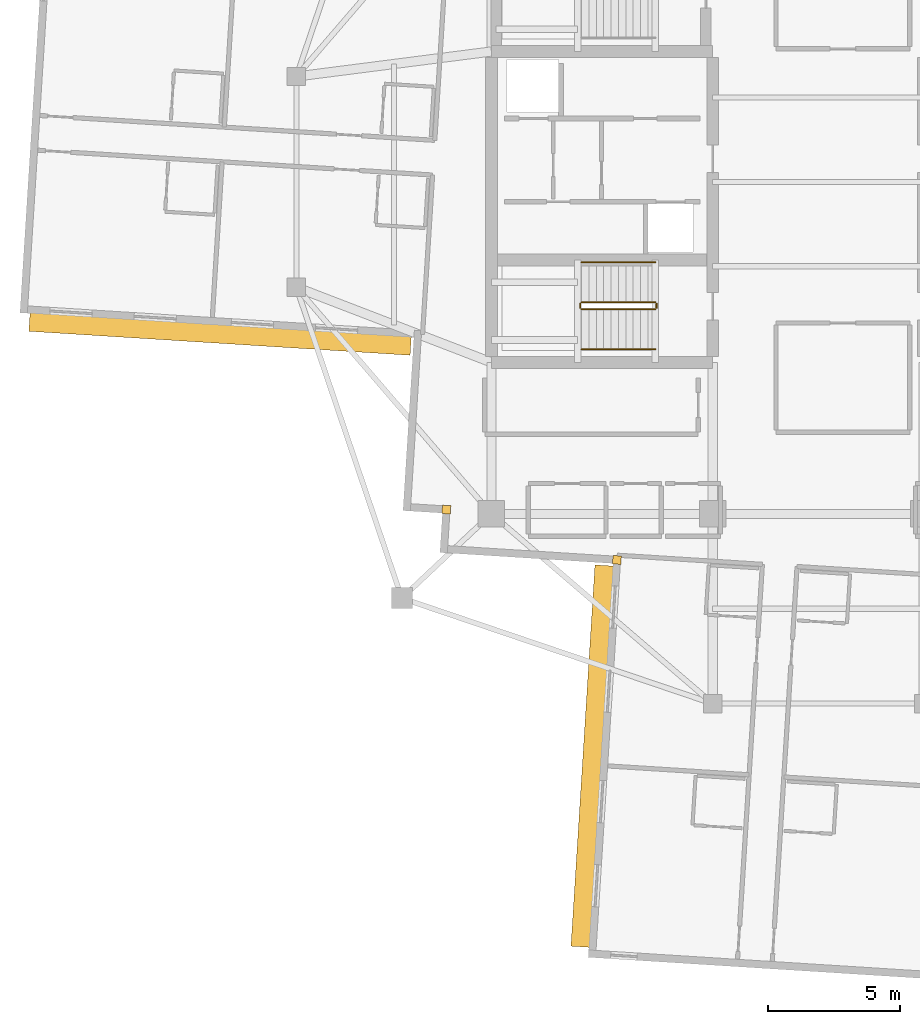
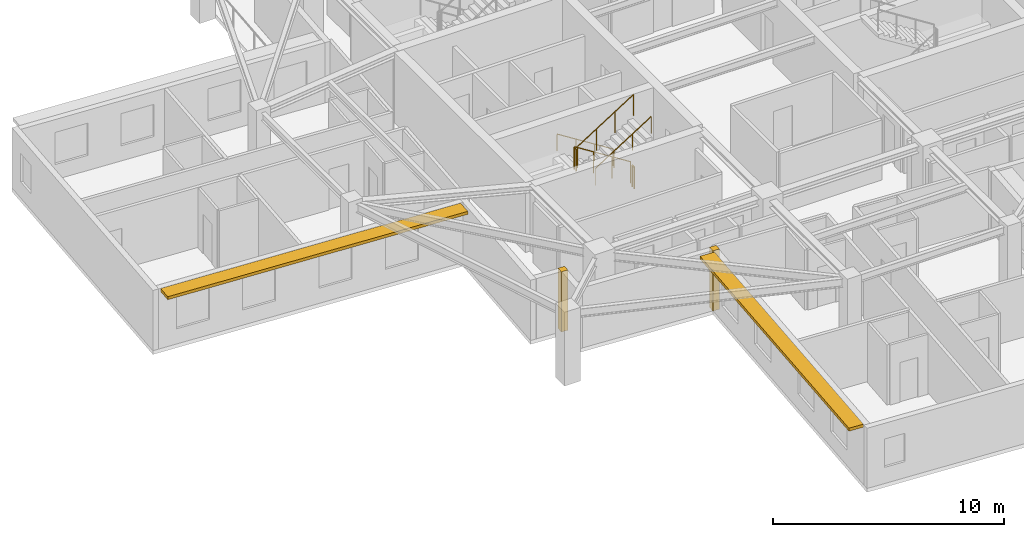
# One storey, part 9 of 12: 6 railings, 2 coverings, 2 shading devices.
"""IFC4 building model written with IfcOpenShell, lengths in metres."""

from ifc_helpers import new_model, si_unit, direction, frame, origin, origin_2d, place, context, subcontext, project, spatial, rectangle, circle, extrude, material, layer, layer_set, type_object, element, save


model = new_model("IFC4")

# Units and contexts
model_context = context("Model", 3, precision=1e-05, world=origin(), true_north=direction((0.0, 1.0)))
body_context = subcontext(model_context, "Body", "Model", "MODEL_VIEW")
ifc_project = project(units=[si_unit("LENGTHUNIT", "METRE"), si_unit("AREAUNIT", "SQUARE_METRE"), si_unit("VOLUMEUNIT", "CUBIC_METRE"), si_unit("PLANEANGLEUNIT", "RADIAN"), si_unit("MASSUNIT", "GRAM", prefix="KILO")], contexts=[model_context])

# Site, building, storey
site_placement = place(None, origin())
site = spatial("IfcSite", under=ifc_project, at=site_placement, CompositionType="ELEMENT")
building_placement = place(site_placement, origin())
building = spatial("IfcBuilding", under=site, at=building_placement, Name="Qingluan Cross Belvedere", CompositionType="ELEMENT")
storey_placement = place(building_placement, frame((0.0, 0.0, 249.89990234375)))
storey = spatial("IfcBuildingStorey", under=building, at=storey_placement, Name="L62", CompositionType="ELEMENT", Elevation=249.89990234375)

# Coverings
ifc_material_1 = material(Name="Precast concrete C45", Category="concrete")
ifc_layer_1 = layer(ifc_material_1, 0.1201171875, Name="ConcreteSpandrelCladding_120")
ifc_layer_set_1 = layer_set([ifc_layer_1], Name="Precast concrete C45")
covering_type = type_object("IfcCoveringType", Name="ConcreteSpandrelCladding_120", PredefinedType="CLADDING", material=ifc_layer_set_1)
for number, where, z_axis, x_axis, name in (
    (1, (-14.10888671875, -12.438720703125, 0.0), (0.0, 0.0, 1.0), (0.998026728428, -0.062790519529, 0.0), "Corner closure L62-SW1"),
    (2, (-7.635986328125, -14.348876953125, 0.0), (0.0, 0.0, 1.0), (0.998026728428, -0.062790519529, 0.0), "Corner closure L62-SW2"),
):
    element("IfcCovering", number, at=place(storey_placement, frame(where, z_axis=z_axis, x_axis=x_axis)), inside=storey, type_object=covering_type, Name=name, PredefinedType="CLADDING", context=body_context, shape_type="SweptSolid", body=[
        extrude(rectangle(XDim=0.320068359375, YDim=0.320068359375, at=origin_2d()), origin(), (0.0, 0.0, 1.0), 3.179931640625),
    ])

# Shading devices
ifc_material_2 = material(Name="Precast concrete C45", Category="concrete")
ifc_layer_2 = layer(ifc_material_2, 0.139892578125, Name="ConcreteSunshadeBand_700")
ifc_layer_set_2 = layer_set([ifc_layer_2], Name="Precast concrete C45")
shading_device_type = type_object("IfcShadingDeviceType", Name="ConcreteSunshadeBand_700", PredefinedType="USERDEFINED", material=ifc_layer_set_2)
for number, where, z_axis, x_axis, name in (
    (3, (-22.697509765625, -5.776123046875, 3.0), (0.0, 0.0, 1.0), (0.998026818306, -0.062789090939, 0.0), "Concrete SUNSHADE L62-WB"),
    (4, (-8.575439453125, -21.794677734375, 3.0), (0.0, 0.0, 1.0), (-0.062795866837, -0.99802639199, 0.0), "Concrete SUNSHADE L62-SA"),
):
    element("IfcShadingDevice", number, at=place(storey_placement, frame(where, z_axis=z_axis, x_axis=x_axis)), inside=storey, type_object=shading_device_type, Name=name, ObjectType="SUNSHADE", PredefinedType="USERDEFINED", context=body_context, shape_type="SweptSolid", body=[
        extrude(rectangle(XDim=14.5, YDim=0.699951171875, at=origin_2d()), origin(), (0.0, 0.0, 1.0), 0.159912109375),
    ])

# Railings
ifc_material_3 = material(Name="Brushed stainless steel tubular handrail", Category="steel")
railing_type_1 = type_object("IfcRailingType", Name="StairPitchHandrail_900", PredefinedType="HANDRAIL", material=ifc_material_3)
railing_1_placement = place(storey_placement, frame((-6.179931640625, -3.050048828125, 0.177490234375)))
element("IfcRailing", 5, at=railing_1_placement, inside=storey, type_object=railing_type_1, Name="L62 ST1 stair handrail 1", PredefinedType="HANDRAIL", context=body_context, shape_type="SweptSolid", body=[
    extrude(circle(Radius=0.02392578125, at=origin_2d()), frame((0.0, 0.0, 0.8759765625), z_axis=(-0.844908973607, 0.0, 0.534910110503), x_axis=(0.0, -1.0, 0.0)), (0.0, 0.0, 1.0), 3.31396484375),
    extrude(circle(Radius=0.02099609375, at=origin_2d()), origin(), (0.0, 0.0, 1.0), 0.851806640625),
    extrude(circle(Radius=0.02099609375, at=origin_2d()), frame((-0.933349609375, 0.0, 0.5908203125)), (0.0, 0.0, 1.0), 0.851806640625),
    extrude(circle(Radius=0.02099609375, at=origin_2d()), frame((-1.86669921875, 0.0, 1.181884765625)), (0.0, 0.0, 1.0), 0.851806640625),
    extrude(circle(Radius=0.02099609375, at=origin_2d()), frame((-2.800048828125, 0.0, 1.772705078125)), (0.0, 0.0, 1.0), 0.851806640625),
])
railing_2_placement = place(storey_placement, frame((-8.97998046875, -6.35009765625, 2.12744140625)))
element("IfcRailing", 6, at=railing_2_placement, inside=storey, type_object=railing_type_1, Name="L62 ST1 stair handrail 2", PredefinedType="HANDRAIL", context=body_context, shape_type="SweptSolid", body=[
    extrude(circle(Radius=0.02392578125, at=origin_2d()), frame((0.0, 0.0, 0.8759765625), z_axis=(0.844908973607, 0.0, 0.534910110503), x_axis=(0.0, 1.0, 0.0)), (0.0, 0.0, 1.0), 3.31396484375),
    extrude(circle(Radius=0.02099609375, at=origin_2d()), origin(), (0.0, 0.0, 1.0), 0.851806640625),
    extrude(circle(Radius=0.02099609375, at=origin_2d()), frame((0.933349609375, 0.0, 0.5908203125)), (0.0, 0.0, 1.0), 0.851806640625),
    extrude(circle(Radius=0.02099609375, at=origin_2d()), frame((1.86669921875, 0.0, 1.181884765625)), (0.0, 0.0, 1.0), 0.851806640625),
    extrude(circle(Radius=0.02099609375, at=origin_2d()), frame((2.800048828125, 0.0, 1.772705078125)), (0.0, 0.0, 1.0), 0.851806640625),
])
ifc_material_4 = material(Name="Painted steel stair well guard", Category="steel")
railing_type_2 = type_object("IfcRailingType", Name="StairWellGuard_1150", PredefinedType="BALUSTRADE", material=ifc_material_4)
railing_3_placement = place(storey_placement, frame((-6.179931640625, -4.570068359375, 0.177490234375)))
element("IfcRailing", 7, at=railing_3_placement, inside=storey, type_object=railing_type_2, Name="L62 ST1 stair guard 1", PredefinedType="BALUSTRADE", context=body_context, shape_type="SweptSolid", body=[
    extrude(circle(Radius=0.02392578125, at=origin_2d()), frame((0.0, 0.0, 1.1259765625), z_axis=(-0.844908973607, 0.0, 0.534910110503), x_axis=(0.0, -1.0, 0.0)), (0.0, 0.0, 1.0), 3.31396484375),
    extrude(circle(Radius=0.02099609375, at=origin_2d()), origin(), (0.0, 0.0, 1.0), 1.101806640625),
    extrude(circle(Radius=0.02099609375, at=origin_2d()), frame((-0.933349609375, 0.0, 0.5908203125)), (0.0, 0.0, 1.0), 1.101806640625),
    extrude(circle(Radius=0.02099609375, at=origin_2d()), frame((-1.86669921875, 0.0, 1.181884765625)), (0.0, 0.0, 1.0), 1.101806640625),
    extrude(circle(Radius=0.02099609375, at=origin_2d()), frame((-2.800048828125, 0.0, 1.772705078125)), (0.0, 0.0, 1.0), 1.101806640625),
])
railing_4_placement = place(storey_placement, frame((-9.030029296875, -4.6201171875, 1.9501953125)))
element("IfcRailing", 8, at=railing_4_placement, inside=storey, type_object=railing_type_2, Name="L62 ST1 stair guard 2", PredefinedType="BALUSTRADE", context=body_context, shape_type="SweptSolid", body=[
    extrude(circle(Radius=0.02392578125, at=origin_2d()), frame((0.0, 0.0, 1.1259765625), z_axis=(0.0, -1.0, 0.0), x_axis=(1.0, 0.0, 0.0)), (0.0, 0.0, 1.0), 0.159912109375),
    extrude(circle(Radius=0.02099609375, at=origin_2d()), origin(), (0.0, 0.0, 1.0), 1.101806640625),
    extrude(circle(Radius=0.02099609375, at=origin_2d()), frame((0.0, -0.159912109375, 0.0)), (0.0, 0.0, 1.0), 1.101806640625),
])
railing_5_placement = place(storey_placement, frame((-8.97998046875, -4.830078125, 2.12744140625)))
element("IfcRailing", 9, at=railing_5_placement, inside=storey, type_object=railing_type_2, Name="L62 ST1 stair guard 3", PredefinedType="BALUSTRADE", context=body_context, shape_type="SweptSolid", body=[
    extrude(circle(Radius=0.02392578125, at=origin_2d()), frame((0.0, 0.0, 1.1259765625), z_axis=(0.844908973607, 0.0, 0.534910110503), x_axis=(0.0, 1.0, 0.0)), (0.0, 0.0, 1.0), 3.31396484375),
    extrude(circle(Radius=0.02099609375, at=origin_2d()), origin(), (0.0, 0.0, 1.0), 1.101806640625),
    extrude(circle(Radius=0.02099609375, at=origin_2d()), frame((0.933349609375, 0.0, 0.5908203125)), (0.0, 0.0, 1.0), 1.101806640625),
    extrude(circle(Radius=0.02099609375, at=origin_2d()), frame((1.86669921875, 0.0, 1.181884765625)), (0.0, 0.0, 1.0), 1.101806640625),
    extrude(circle(Radius=0.02099609375, at=origin_2d()), frame((2.800048828125, 0.0, 1.772705078125)), (0.0, 0.0, 1.0), 1.101806640625),
])
railing_6_placement = place(storey_placement, frame((-6.1298828125, -4.6201171875, 0.0)))
element("IfcRailing", 10, at=railing_6_placement, inside=storey, type_object=railing_type_2, Name="L62 ST1 stair guard 4", PredefinedType="BALUSTRADE", context=body_context, shape_type="SweptSolid", body=[
    extrude(circle(Radius=0.02392578125, at=origin_2d()), frame((0.0, 0.0, 1.1259765625), z_axis=(0.0, -1.0, 0.0), x_axis=(1.0, 0.0, 0.0)), (0.0, 0.0, 1.0), 0.159912109375),
    extrude(circle(Radius=0.02099609375, at=origin_2d()), origin(), (0.0, 0.0, 1.0), 1.101806640625),
    extrude(circle(Radius=0.02099609375, at=origin_2d()), frame((0.0, -0.159912109375, 0.0)), (0.0, 0.0, 1.0), 1.101806640625),
])

save(model, "model.ifc")
